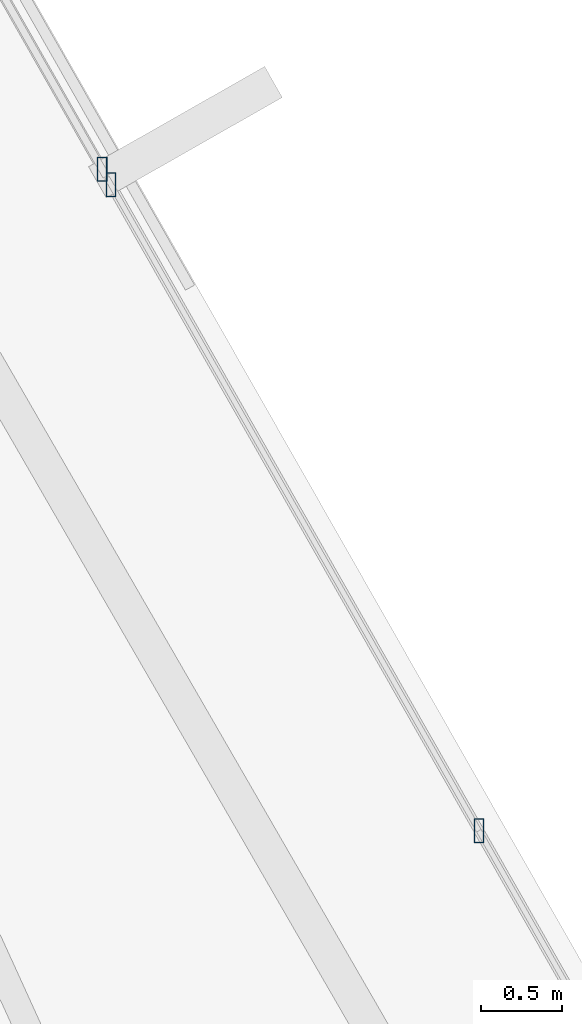
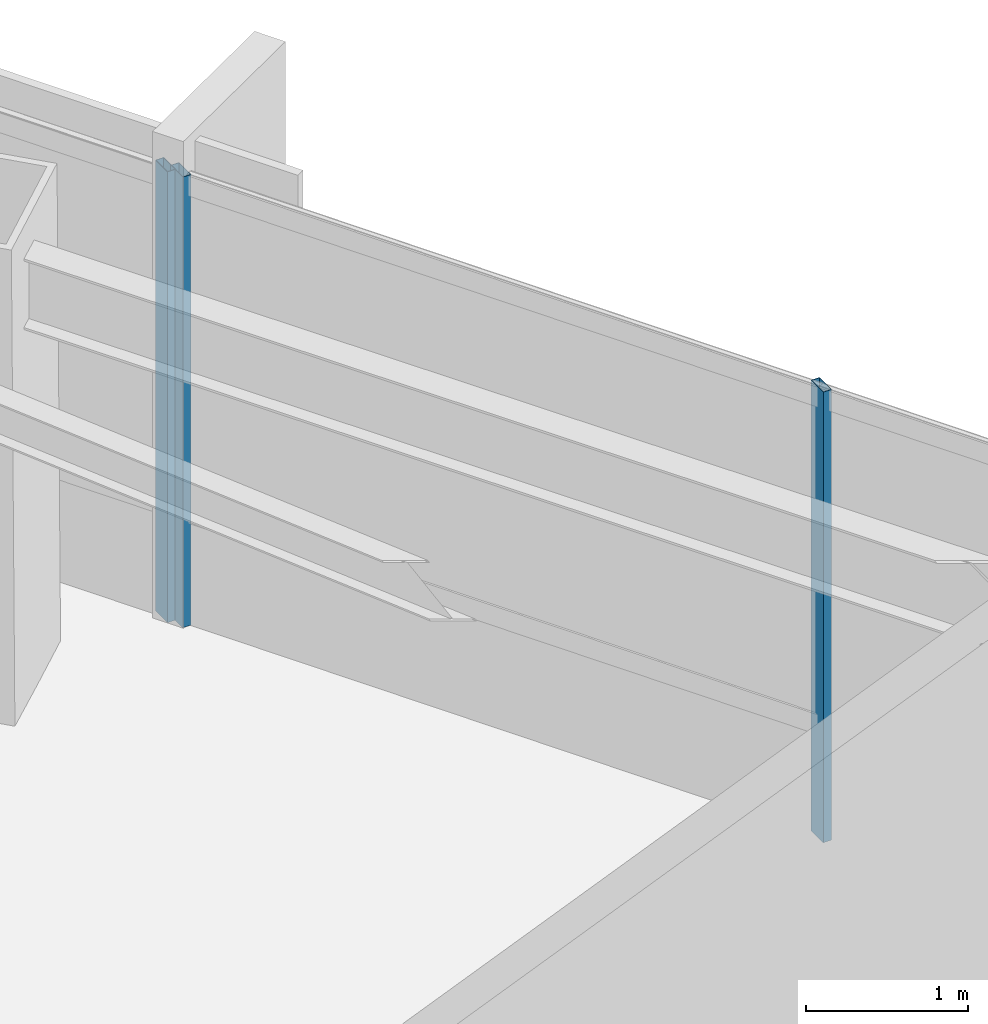
# One storey, part 23 of 39: 3 members, 2 elements without a shape of their own.
"""IFC4 building model written with IfcOpenShell, lengths in metres."""

from ifc_helpers import new_model, si_unit, direction, frame, origin, origin_2d, place, context, subcontext, project, spatial, hollow_rectangle, extrude, source, transform, mapped, material, material_profile, profile_set, type_object, type_shapes, element, aggregate, save


model = new_model("IFC4")

# Units and contexts
model_context = context("Model", 3, precision=1e-05, world=origin(), true_north=direction((0.0, 1.0)))
body_context = subcontext(model_context, "Body", "Model", "MODEL_VIEW")
ifc_project = project(units=[si_unit("LENGTHUNIT", "METRE"), si_unit("AREAUNIT", "SQUARE_METRE"), si_unit("VOLUMEUNIT", "CUBIC_METRE"), si_unit("PLANEANGLEUNIT", "RADIAN"), si_unit("MASSUNIT", "GRAM", prefix="KILO")], contexts=[model_context])

# Site, building, storey
site_placement = place(None, origin())
site = spatial("IfcSite", under=ifc_project, at=site_placement, CompositionType="ELEMENT")
building_placement = place(site_placement, origin())
building = spatial("IfcBuilding", under=site, at=building_placement, Name="Caelisora Broadcast Tower", CompositionType="ELEMENT")
storey_placement = place(building_placement, frame((0.0, 0.0, 142.75)))
storey = spatial("IfcBuildingStorey", under=building, at=storey_placement, Name="L37", CompositionType="ELEMENT", Elevation=142.75)

# Curtain wall, member
ifc_material_1 = material(Name="Unitised Aluminium Insulated Shadow-Box Spandrel Curtain Wall", Category="aluminium")
curtain_wall_type_1 = type_object("IfcCurtainWallType", Name="CW-SP2", PredefinedType="NOTDEFINED", material=ifc_material_1)
curtain_wall_1_placement = place(storey_placement, origin())
curtain_wall_1 = element("IfcCurtainWall", 1, at=curtain_wall_1_placement, inside=storey, type_object=curtain_wall_type_1, Name="L37 curtain wall CW-SP2", PredefinedType="NOTDEFINED")
ifc_material_2 = material(Name="Aluminium 6063-T6 Anodised Terracotta Bronze", Category="aluminium")
ifc_material_profile = material_profile(ifc_material_2, hollow_rectangle(XDim=0.06005859375, YDim=0.14990234375, WallThickness=0.00341796875, at=origin_2d()), Name="Aluminium 6063-T6 Anodised Terracotta Bronze")
ifc_profile_set = profile_set([ifc_material_profile], Name="Aluminium 6063-T6 Anodised Terracotta Bronze")
member_type = type_object("IfcMemberType", Name="CWM-03", PredefinedType="MULLION", material=ifc_profile_set)
shared_shape = source(origin(), body_context, "Body", "SweptSolid", [
    extrude(hollow_rectangle(XDim=0.06005859375, YDim=0.14990234375, WallThickness=0.00341796875, at=origin_2d()), origin(), (0.0, 0.0, 1.0), 3.39990234375),
])
type_shapes(member_type, [shared_shape])
member_1_placement = place(storey_placement, frame((56.726318359375, 27.685791015625, 0.0), z_axis=(0.0, 0.0, 1.0), x_axis=(1.0, 0.0, 0.0)))
member_1 = element("IfcMember", 2, at=member_1_placement, type_object=member_type, Name="L37-CW-B02 mullion #3", PredefinedType="MULLION", context=body_context, shape_type="MappedRepresentation", body=[
    mapped(shared_shape, transform((0.0, 0.0, 0.0), scale=1.0)),
])
aggregate(curtain_wall_1, [member_1])

# Curtain wall, members
ifc_material_3 = material(Name="Unitised Aluminium and Low-E Glass Curtain Wall", Category="glass")
curtain_wall_type_2 = type_object("IfcCurtainWallType", Name="CW-Z3", PredefinedType="NOTDEFINED", material=ifc_material_3)
curtain_wall_2_placement = place(storey_placement, origin())
curtain_wall_2 = element("IfcCurtainWall", 3, at=curtain_wall_2_placement, inside=storey, type_object=curtain_wall_type_2, Name="L37 curtain wall CW-Z3", PredefinedType="NOTDEFINED")
member_2_placement = place(storey_placement, frame((56.781005859375, 27.59033203125, 0.0), z_axis=(0.0, 0.0, 1.0), x_axis=(1.0, 0.0, 0.0)))
member_2 = element("IfcMember", 4, at=member_2_placement, type_object=member_type, Name="L37-CW-B03 mullion #0", PredefinedType="MULLION", context=body_context, shape_type="MappedRepresentation", body=[
    mapped(shared_shape, transform((0.0, 0.0, 0.0), scale=1.0)),
])
member_3_placement = place(storey_placement, frame((59.05029296875, 23.60546875, 0.0), z_axis=(0.0, 0.0, 1.0), x_axis=(1.0, 0.0, 0.0)))
member_3 = element("IfcMember", 5, at=member_3_placement, type_object=member_type, Name="L37-CW-B03 mullion #1", PredefinedType="MULLION", context=body_context, shape_type="MappedRepresentation", body=[
    mapped(shared_shape, transform((0.0, 0.0, 0.0), scale=1.0)),
])
aggregate(curtain_wall_2, [member_2, member_3])

save(model, "model.ifc")
